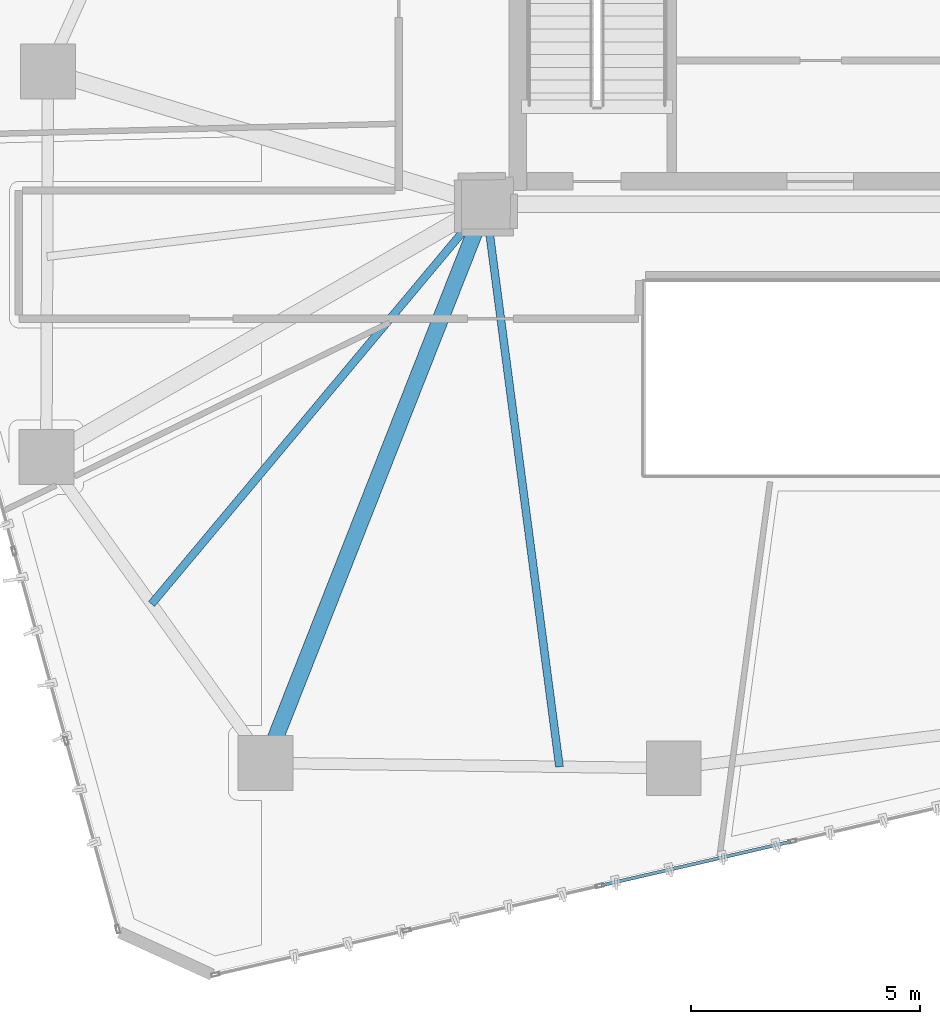
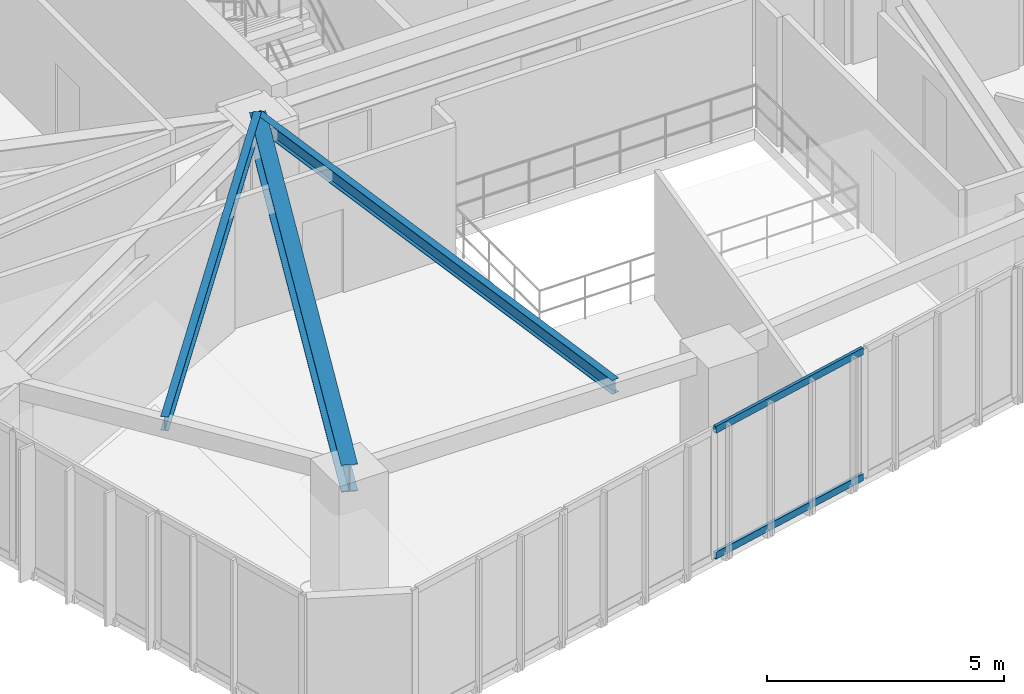
# One storey, part 5 of 21: 3 beams, 2 members, 1 element without a shape of its own.
"""IFC4 building model written with IfcOpenShell, lengths in metres."""

from ifc_helpers import new_model, si_unit, direction, frame, origin, origin_2d, place, context, subcontext, project, spatial, hollow_rectangle, i_section, extrude, source, transform, mapped, material, layer, layer_set, material_profile, profile_set, type_object, type_shapes, element, aggregate, save


model = new_model("IFC4")

# Units and contexts
model_context = context("Model", 3, precision=1e-05, world=origin(), true_north=direction((0.0, 1.0)))
body_context = subcontext(model_context, "Body", "Model", "MODEL_VIEW")
ifc_project = project(units=[si_unit("LENGTHUNIT", "METRE"), si_unit("AREAUNIT", "SQUARE_METRE"), si_unit("VOLUMEUNIT", "CUBIC_METRE"), si_unit("PLANEANGLEUNIT", "RADIAN"), si_unit("MASSUNIT", "GRAM", prefix="KILO")], contexts=[model_context])

# Site, building, storey
site_placement = place(None, origin())
site = spatial("IfcSite", under=ifc_project, at=site_placement, CompositionType="ELEMENT")
building_placement = place(site_placement, origin())
building = spatial("IfcBuilding", under=site, at=building_placement, Name="Talar Marvaseh", CompositionType="ELEMENT")
storey_placement = place(building_placement, frame((0.0, 0.0, 129.0)))
storey = spatial("IfcBuildingStorey", under=building, at=storey_placement, Name="L33", CompositionType="ELEMENT", Elevation=129.0)

# Beams
ifc_material_1 = material(Name="Steel S355", Category="steel")
ifc_material_profile_1 = material_profile(ifc_material_1, i_section(OverallWidth=0.35498046875, OverallDepth=0.695068359375, WebThickness=0.015380859375, FlangeThickness=0.02490234375, at=origin_2d()), Name="W690x217")
ifc_profile_set_1 = profile_set([ifc_material_profile_1], Name="Steel S355")
beam_type_1 = type_object("IfcBeamType", Name="Zone 2 Radial Floor Girder W690x217", PredefinedType="BEAM", material=ifc_profile_set_1)
beam_1_placement = place(storey_placement, frame((13.89111328125, 13.299072265625, 2.96240234375), z_axis=(0.366683712786, 0.930345664136, 0.0), x_axis=(-0.930345664136, 0.366683712786, 0.0)))
element("IfcBeam", 1, at=beam_1_placement, inside=storey, type_object=beam_type_1, Name="L33 Zone 2 Radial Floor Girder W690x217", PredefinedType="BEAM", context=body_context, shape_type="SweptSolid", body=[
    extrude(i_section(OverallWidth=0.35498046875, OverallDepth=0.695068359375, WebThickness=0.015380859375, FlangeThickness=0.02490234375, at=origin_2d()), origin(), (0.0, 0.0, 1.0), 13.114501953125),
])
ifc_material_profile_2 = material_profile(ifc_material_1, i_section(OverallWidth=0.172119140625, OverallDepth=0.35791015625, WebThickness=0.0078125, FlangeThickness=0.01318359375, at=origin_2d()), Name="W360x57")
ifc_profile_set_2 = profile_set([ifc_material_profile_2], Name="Steel S355")
beam_type_2 = type_object("IfcBeamType", Name="Zone 2 Secondary Floor Joist W360x57", PredefinedType="JOIST", material=ifc_profile_set_2)
beam_2_placement = place(storey_placement, frame((20.30908203125, 13.215576171875, 3.131103515625), z_axis=(-0.129880008292, 0.991529718892, 0.0), x_axis=(-0.991529718892, -0.129880008292, 0.0)))
element("IfcBeam", 2, at=beam_2_placement, inside=storey, type_object=beam_type_2, Name="L33 Zone 2 Secondary Floor Joist W360x57", PredefinedType="JOIST", context=body_context, shape_type="SweptSolid", body=[
    extrude(i_section(OverallWidth=0.172119140625, OverallDepth=0.35791015625, WebThickness=0.0078125, FlangeThickness=0.01318359375, at=origin_2d()), origin(), (0.0, 0.0, 1.0), 12.389404296875),
])
beam_3_placement = place(storey_placement, frame((11.400146484375, 16.771484375, 3.131103515625), z_axis=(0.641534082313, 0.767094532135, 0.0), x_axis=(-0.767094532135, 0.641534082313, 0.0)))
element("IfcBeam", 3, at=beam_3_placement, inside=storey, type_object=beam_type_2, Name="L33 Zone 2 Secondary Floor Joist W360x57", PredefinedType="JOIST", context=body_context, shape_type="SweptSolid", body=[
    extrude(i_section(OverallWidth=0.172119140625, OverallDepth=0.35791015625, WebThickness=0.0078125, FlangeThickness=0.01318359375, at=origin_2d()), origin(), (0.0, 0.0, 1.0), 11.378662109375),
])

# Curtain wall, members
ifc_material_2 = material(Name="Architectural Aluminium", Category="aluminium")
ifc_layer = layer(ifc_material_2, 0.199951171875)
ifc_layer_set = layer_set([ifc_layer], Name="Architectural Aluminium")
curtain_wall_type = type_object("IfcCurtainWallType", Name="Unitised Acoustic Library Curtain Wall Z2", PredefinedType="NOTDEFINED", material=ifc_layer_set)
curtain_wall_placement = place(storey_placement, origin())
curtain_wall = element("IfcCurtainWall", 4, at=curtain_wall_placement, inside=storey, type_object=curtain_wall_type, Name="L33 Unitised Acoustic Library Curtain Wall Z2", PredefinedType="NOTDEFINED")
ifc_material_profile_3 = material_profile(ifc_material_2, hollow_rectangle(XDim=0.074951171875, YDim=0.179931640625, WallThickness=0.0048828125, at=origin_2d()), Name="RHS180x75x5")
ifc_profile_set_3 = profile_set([ifc_material_profile_3], Name="Architectural Aluminium")
member_type = type_object("IfcMemberType", Name="Unitised Curtain Wall Transom RHS180x75x5", PredefinedType="USERDEFINED", material=ifc_profile_set_3)
shared_shape = source(origin(), body_context, "Body", "SweptSolid", [
    extrude(hollow_rectangle(XDim=0.074951171875, YDim=0.179931640625, WallThickness=0.0048828125, at=origin_2d()), origin(), (0.0, 0.0, 1.0), 4.24853515625),
])
type_shapes(member_type, [shared_shape])
member_1_placement = place(storey_placement, frame((25.362548828125, 11.581298828125, 0.03759765625), z_axis=(-0.974336929726, -0.225094529858, 0.0), x_axis=(0.225094529858, -0.974336929726, 0.0)))
member_1 = element("IfcMember", 5, at=member_1_placement, type_object=member_type, Name="CW-Z2 transom 3.1", ObjectType="TRANSOM", PredefinedType="USERDEFINED", context=body_context, shape_type="MappedRepresentation", body=[
    mapped(shared_shape, transform((0.0, 0.0, 0.0), x_axis=(1.0, 0.0, 0.0), y_axis=(0.0, 1.0, 0.0), z_axis=(0.0, 0.0, 1.0), scale=1.0)),
])
member_2_placement = place(storey_placement, frame((25.362548828125, 11.581298828125, 3.2724609375), z_axis=(-0.974336929726, -0.225094529858, 0.0), x_axis=(0.225094529858, -0.974336929726, 0.0)))
member_2 = element("IfcMember", 6, at=member_2_placement, type_object=member_type, Name="CW-Z2 transom 3.2", ObjectType="TRANSOM", PredefinedType="USERDEFINED", context=body_context, shape_type="MappedRepresentation", body=[
    mapped(shared_shape, transform((0.0, 0.0, 0.0), x_axis=(1.0, 0.0, 0.0), y_axis=(0.0, 1.0, 0.0), z_axis=(0.0, 0.0, 1.0), scale=1.0)),
])
aggregate(curtain_wall, [member_1, member_2])

save(model, "model.ifc")
